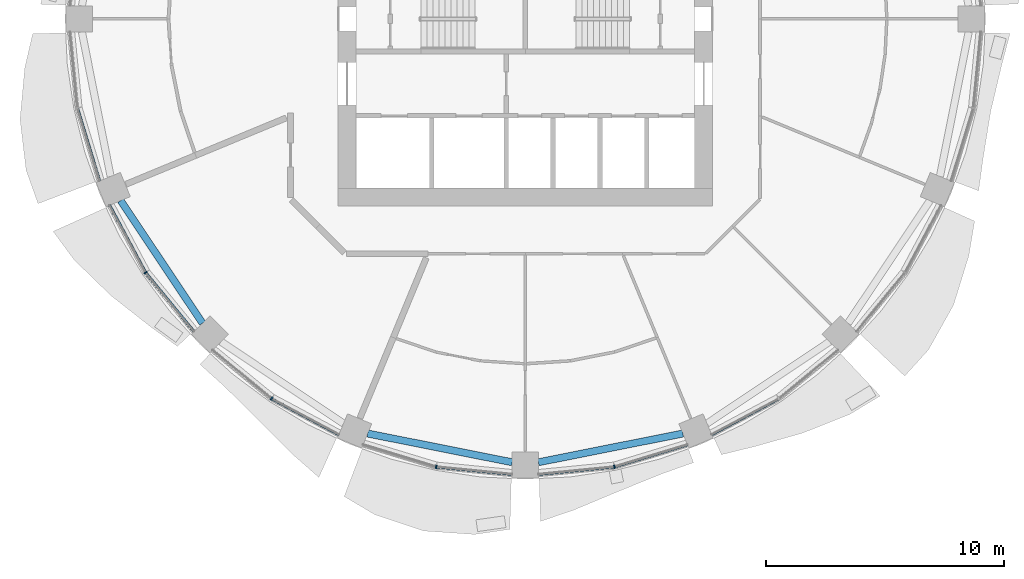
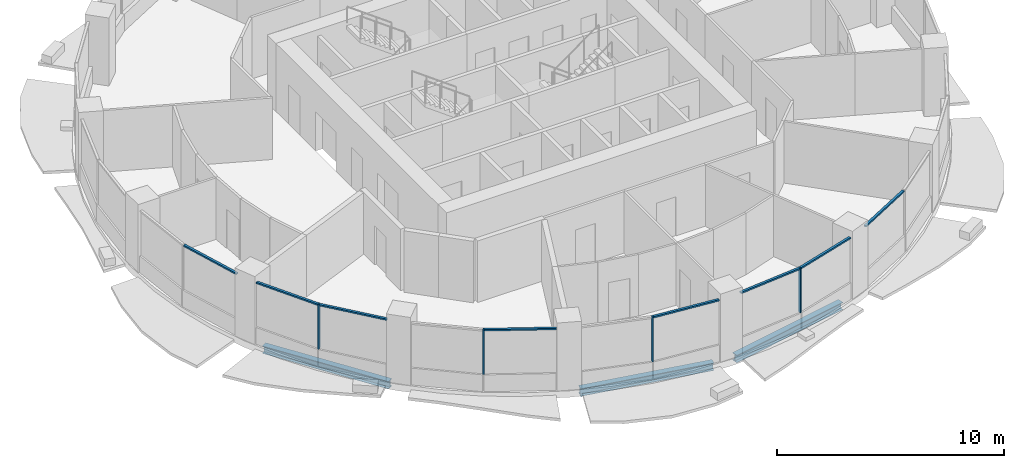
# One storey, part 2 of 15: 12 members, 3 beams, 6 elements without a shape of their own.
"""IFC4 building model written with IfcOpenShell, lengths in metres."""

from ifc_helpers import new_model, si_unit, direction, frame, origin, origin_2d, place, context, subcontext, project, spatial, rectangle, i_section, extrude, material, material_profile, profile_set, type_object, element, aggregate, save


model = new_model("IFC4")

# Units and contexts
model_context = context("Model", 3, precision=1e-05, world=origin(), true_north=direction((0.0, 1.0)))
body_context = subcontext(model_context, "Body", "Model", "MODEL_VIEW")
ifc_project = project(units=[si_unit("LENGTHUNIT", "METRE"), si_unit("AREAUNIT", "SQUARE_METRE"), si_unit("VOLUMEUNIT", "CUBIC_METRE"), si_unit("PLANEANGLEUNIT", "RADIAN"), si_unit("MASSUNIT", "GRAM", prefix="KILO")], contexts=[model_context])

# Site, building, storey
site_placement = place(None, origin())
site = spatial("IfcSite", under=ifc_project, at=site_placement, CompositionType="ELEMENT")
building_placement = place(site_placement, origin())
building = spatial("IfcBuilding", under=site, at=building_placement, Name="Polderwave Tower", CompositionType="ELEMENT")
storey_placement = place(building_placement, frame((0.0, 0.0, 83.699951171875)))
storey = spatial("IfcBuildingStorey", under=building, at=storey_placement, Name="L21", CompositionType="ELEMENT", Elevation=83.699951171875)

# Curtain wall, member
ifc_material_1 = material(Name="Aluminium 6063-T6 and glass", Category="aluminium")
curtain_wall_type = type_object("IfcCurtainWallType", Name="Growing floor ribbon glazing wall", PredefinedType="NOTDEFINED", material=ifc_material_1)
curtain_wall_1_placement = place(storey_placement, origin())
curtain_wall_1 = element("IfcCurtainWall", 1, at=curtain_wall_1_placement, inside=storey, type_object=curtain_wall_type, Name="CW2 L21 09", PredefinedType="NOTDEFINED")
ifc_material_2 = material(Name="Aluminium 6063-T6", Category="aluminium")
ifc_material_profile_1 = material_profile(ifc_material_2, rectangle(XDim=0.14990234375, YDim=0.06005859375, at=origin_2d()), Name="AL 60x150")
ifc_profile_set_1 = profile_set([ifc_material_profile_1], Name="Aluminium 6063-T6")
member_type_1 = type_object("IfcMemberType", Name="Growing floor ribbon glazing mullion 60x150", PredefinedType="MULLION", material=ifc_profile_set_1)
member_1_placement = place(storey_placement, frame((-15.964111328125, -10.6669921875, 0.900146484375), z_axis=(0.0, 0.0, 1.0), x_axis=(0.831444400469, 0.555607963342, 0.0)))
member_1 = element("IfcMember", 2, at=member_1_placement, type_object=member_type_1, Name="CW2 mullion 1", PredefinedType="MULLION", context=body_context, shape_type="SweptSolid", body=[
    extrude(rectangle(XDim=0.14990234375, YDim=0.06005859375, at=origin_2d()), origin(), (0.0, 0.0, 1.0), 2.39990234375),
])

curtain_wall_2_placement = place(storey_placement, origin())
curtain_wall_2 = element("IfcCurtainWall", 3, at=curtain_wall_2_placement, inside=storey, type_object=curtain_wall_type, Name="CW2 L21 10", PredefinedType="NOTDEFINED")
member_2_placement = place(storey_placement, frame((-10.6669921875, -15.964111328125, 0.900146484375), z_axis=(0.0, 0.0, 1.0), x_axis=(0.555607963342, 0.831444400469, 0.0)))
member_2 = element("IfcMember", 4, at=member_2_placement, type_object=member_type_1, Name="CW2 mullion 1", PredefinedType="MULLION", context=body_context, shape_type="SweptSolid", body=[
    extrude(rectangle(XDim=0.14990234375, YDim=0.06005859375, at=origin_2d()), origin(), (0.0, 0.0, 1.0), 2.39990234375),
])

curtain_wall_3_placement = place(storey_placement, origin())
curtain_wall_3 = element("IfcCurtainWall", 5, at=curtain_wall_3_placement, inside=storey, type_object=curtain_wall_type, Name="CW2 L21 11", PredefinedType="NOTDEFINED")
member_3_placement = place(storey_placement, frame((-3.74609375, -18.8310546875, 0.900146484375), z_axis=(0.0, 0.0, 1.0), x_axis=(0.195097169184, 0.980783918392, 0.0)))
member_3 = element("IfcMember", 6, at=member_3_placement, type_object=member_type_1, Name="CW2 mullion 1", PredefinedType="MULLION", context=body_context, shape_type="SweptSolid", body=[
    extrude(rectangle(XDim=0.14990234375, YDim=0.06005859375, at=origin_2d()), origin(), (0.0, 0.0, 1.0), 2.39990234375),
])

curtain_wall_4_placement = place(storey_placement, origin())
curtain_wall_4 = element("IfcCurtainWall", 7, at=curtain_wall_4_placement, inside=storey, type_object=curtain_wall_type, Name="CW2 L21 12", PredefinedType="NOTDEFINED")
member_4_placement = place(storey_placement, frame((3.74609375, -18.8310546875, 0.900146484375), z_axis=(0.0, 0.0, 1.0), x_axis=(-0.195097169184, 0.980783918392, 0.0)))
member_4 = element("IfcMember", 8, at=member_4_placement, type_object=member_type_1, Name="CW2 mullion 1", PredefinedType="MULLION", context=body_context, shape_type="SweptSolid", body=[
    extrude(rectangle(XDim=0.14990234375, YDim=0.06005859375, at=origin_2d()), origin(), (0.0, 0.0, 1.0), 2.39990234375),
])

curtain_wall_5_placement = place(storey_placement, origin())
curtain_wall_5 = element("IfcCurtainWall", 9, at=curtain_wall_5_placement, inside=storey, type_object=curtain_wall_type, Name="CW2 L21 08", PredefinedType="NOTDEFINED")
ifc_material_profile_2 = material_profile(ifc_material_2, rectangle(XDim=0.1201171875, YDim=0.080078125, at=origin_2d()), Name="AL 80x120")
ifc_profile_set_2 = profile_set([ifc_material_profile_2], Name="Aluminium 6063-T6")
member_type_2 = type_object("IfcMemberType", Name="Growing floor ribbon glazing transom 80x120", PredefinedType="USERDEFINED", material=ifc_profile_set_2)
member_5_placement = place(storey_placement, frame((-18.822265625, -3.774658203125, 3.260009765625), z_axis=(0.290233155766, -0.95695596309, 0.0), x_axis=(0.95695596309, 0.290233155766, 0.0)))
member_5 = element("IfcMember", 10, at=member_5_placement, type_object=member_type_2, Name="CW2 transom 2", ObjectType="TRANSOM", PredefinedType="USERDEFINED", context=body_context, shape_type="SweptSolid", body=[
    extrude(rectangle(XDim=0.1201171875, YDim=0.080078125, at=origin_2d()), origin(), (0.0, 0.0, 1.0), 3.181396484375),
])
aggregate(curtain_wall_5, [member_5])

# Member
member_6_placement = place(storey_placement, frame((-17.47802734375, -7.8349609375, 3.260009765625), z_axis=(0.471512085827, -0.881859599323, 0.0), x_axis=(0.881859599323, 0.471512085827, 0.0)))
member_6 = element("IfcMember", 11, at=member_6_placement, type_object=member_type_2, Name="CW2 transom 1", ObjectType="TRANSOM", PredefinedType="USERDEFINED", context=body_context, shape_type="SweptSolid", body=[
    extrude(rectangle(XDim=0.1201171875, YDim=0.080078125, at=origin_2d()), origin(), (0.0, 0.0, 1.0), 3.18115234375),
])

member_7_placement = place(storey_placement, frame((-15.945068359375, -10.690185546875, 3.260009765625), z_axis=(0.634436573251, -0.772974924898, 0.0), x_axis=(0.772974924898, 0.634436573251, 0.0)))
member_7 = element("IfcMember", 12, at=member_7_placement, type_object=member_type_2, Name="CW2 transom 2", ObjectType="TRANSOM", PredefinedType="USERDEFINED", context=body_context, shape_type="SweptSolid", body=[
    extrude(rectangle(XDim=0.1201171875, YDim=0.080078125, at=origin_2d()), origin(), (0.0, 0.0, 1.0), 3.180908203125),
])

aggregate(curtain_wall_1, [member_1, member_6, member_7])

member_8_placement = place(storey_placement, frame((-10.640380859375, -15.97802734375, 3.260009765625), z_axis=(0.881859599323, -0.471512085827, 0.0), x_axis=(0.471512085827, 0.881859599323, 0.0)))
member_8 = element("IfcMember", 13, at=member_8_placement, type_object=member_type_2, Name="CW2 transom 2", ObjectType="TRANSOM", PredefinedType="USERDEFINED", context=body_context, shape_type="SweptSolid", body=[
    extrude(rectangle(XDim=0.1201171875, YDim=0.080078125, at=origin_2d()), origin(), (0.0, 0.0, 1.0), 3.18115234375),
])

aggregate(curtain_wall_2, [member_2, member_8])

member_9_placement = place(storey_placement, frame((-3.716064453125, -18.833984375, 3.260009765625), z_axis=(0.995179009769, -0.098075167681, 0.0), x_axis=(0.098075167681, 0.995179009769, 0.0)))
member_9 = element("IfcMember", 14, at=member_9_placement, type_object=member_type_2, Name="CW2 transom 2", ObjectType="TRANSOM", PredefinedType="USERDEFINED", context=body_context, shape_type="SweptSolid", body=[
    extrude(rectangle(XDim=0.1201171875, YDim=0.080078125, at=origin_2d()), origin(), (0.0, 0.0, 1.0), 3.181396484375),
])

aggregate(curtain_wall_3, [member_3, member_9])

member_10_placement = place(storey_placement, frame((0.550048828125, -19.14599609375, 3.260009765625), z_axis=(0.995179009769, 0.098075167681, 0.0), x_axis=(-0.098075167681, 0.995179009769, 0.0)))
member_10 = element("IfcMember", 15, at=member_10_placement, type_object=member_type_2, Name="CW2 transom 1", ObjectType="TRANSOM", PredefinedType="USERDEFINED", context=body_context, shape_type="SweptSolid", body=[
    extrude(rectangle(XDim=0.1201171875, YDim=0.080078125, at=origin_2d()), origin(), (0.0, 0.0, 1.0), 3.181396484375),
])

member_11_placement = place(storey_placement, frame((3.774658203125, -18.822265625, 3.260009765625), z_axis=(0.95695596309, 0.290233155766, 0.0), x_axis=(-0.290233155766, 0.95695596309, 0.0)))
member_11 = element("IfcMember", 16, at=member_11_placement, type_object=member_type_2, Name="CW2 transom 2", ObjectType="TRANSOM", PredefinedType="USERDEFINED", context=body_context, shape_type="SweptSolid", body=[
    extrude(rectangle(XDim=0.1201171875, YDim=0.080078125, at=origin_2d()), origin(), (0.0, 0.0, 1.0), 3.181396484375),
])

aggregate(curtain_wall_4, [member_4, member_10, member_11])

# Curtain wall, member
curtain_wall_6_placement = place(storey_placement, origin())
curtain_wall_6 = element("IfcCurtainWall", 17, at=curtain_wall_6_placement, inside=storey, type_object=curtain_wall_type, Name="CW2 L21 13", PredefinedType="NOTDEFINED")
member_12_placement = place(storey_placement, frame((7.8349609375, -17.47802734375, 3.260009765625), z_axis=(0.881859599323, 0.471512085827, 0.0), x_axis=(-0.471512085827, 0.881859599323, 0.0)))
member_12 = element("IfcMember", 18, at=member_12_placement, type_object=member_type_2, Name="CW2 transom 1", ObjectType="TRANSOM", PredefinedType="USERDEFINED", context=body_context, shape_type="SweptSolid", body=[
    extrude(rectangle(XDim=0.1201171875, YDim=0.080078125, at=origin_2d()), origin(), (0.0, 0.0, 1.0), 3.18115234375),
])
aggregate(curtain_wall_6, [member_12])

# Beams
ifc_material_3 = material(Name="Steel S355", Category="steel")
ifc_material_profile_3 = material_profile(ifc_material_3, i_section(OverallWidth=0.300048828125, OverallDepth=0.39990234375, WebThickness=0.013427734375, FlangeThickness=0.02392578125, at=origin_2d()), Name="HE 400 B")
ifc_profile_set_3 = profile_set([ifc_material_profile_3], Name="Steel S355")
beam_type = type_object("IfcBeamType", Name="RING BEAM HE 400 B", PredefinedType="BEAM", material=ifc_profile_set_3)
for number, where, z_axis, x_axis, name in (
    (19, (-17.01123046875, -7.6416015625, -0.550048828125), (0.555573051966, -0.831467728736, 0.0), (0.831467728736, 0.555573051966, 0.0), "ST-RB-L21-09"),
    (20, (-6.625244140625, -17.43212890625, -0.550048828125), (0.980783284471, -0.195100355977, 0.0), (0.195100355977, 0.980783284471, 0.0), "ST-RB-L21-11"),
    (21, (0.550048828125, -18.640625, -0.550048828125), (0.980783284471, 0.195100355977, 0.0), (-0.195100355977, 0.980783284471, 0.0), "ST-RB-L21-12"),
):
    element("IfcBeam", number, at=place(storey_placement, frame(where, z_axis=z_axis, x_axis=x_axis)), inside=storey, type_object=beam_type, Name=name, PredefinedType="BEAM", context=body_context, shape_type="SweptSolid", body=[
        extrude(i_section(OverallWidth=0.300048828125, OverallDepth=0.39990234375, WebThickness=0.013427734375, FlangeThickness=0.02392578125, at=origin_2d()), origin(), (0.0, 0.0, 1.0), 6.1943359375),
    ])

save(model, "model.ifc")
